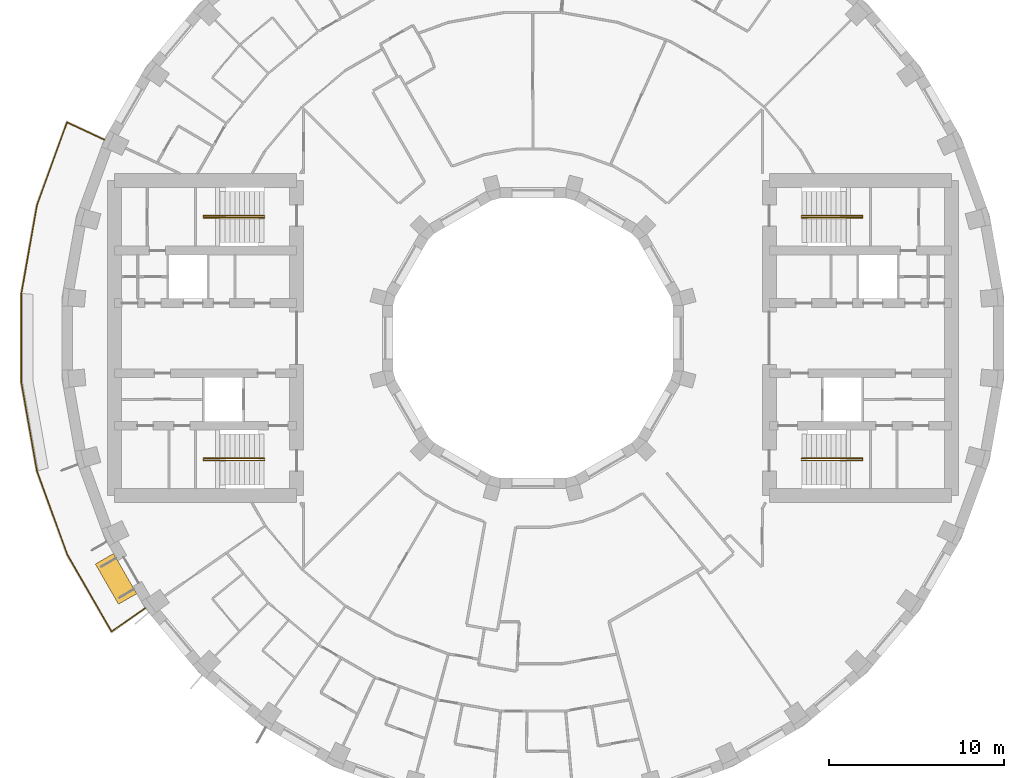
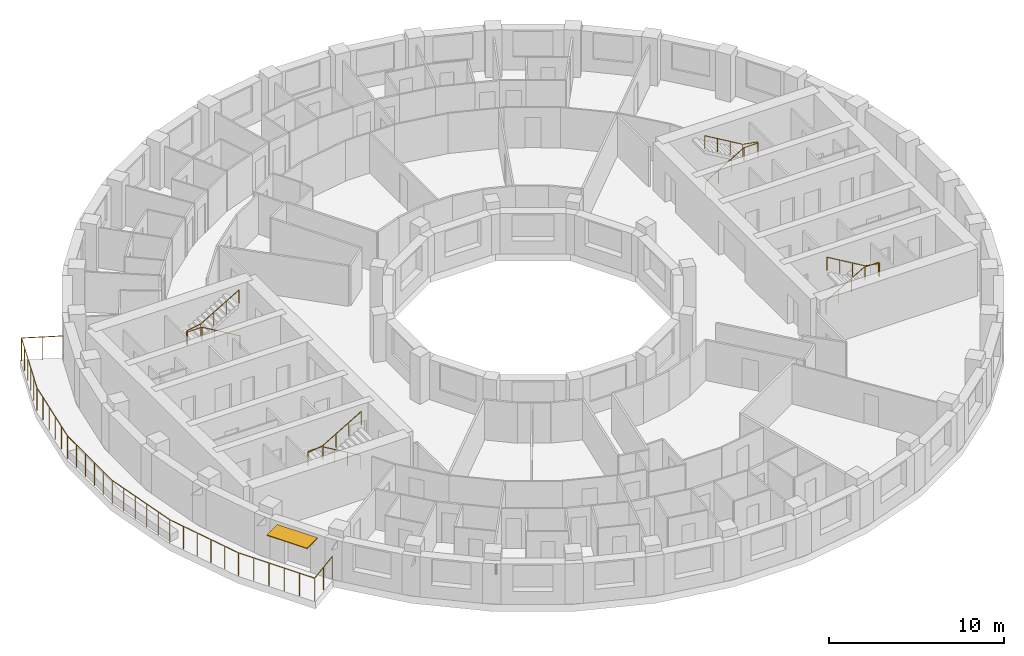
# One storey, part 13 of 13: 5 railings, 1 shading device.
"""IFC4 building model written with IfcOpenShell, lengths in metres."""

from ifc_helpers import new_model, si_unit, direction, frame, origin, origin_2d, place, context, subcontext, project, spatial, rectangle, circle, extrude, material, layer, layer_set, type_object, element, save


model = new_model("IFC4")

# Units and contexts
model_context = context("Model", 3, precision=1e-05, world=origin(), true_north=direction((0.0, 1.0)))
body_context = subcontext(model_context, "Body", "Model", "MODEL_VIEW")
ifc_project = project(units=[si_unit("LENGTHUNIT", "METRE"), si_unit("AREAUNIT", "SQUARE_METRE"), si_unit("VOLUMEUNIT", "CUBIC_METRE"), si_unit("PLANEANGLEUNIT", "RADIAN"), si_unit("MASSUNIT", "GRAM", prefix="KILO")], contexts=[model_context])

# Site, building, storey
site_placement = place(None, origin())
site = spatial("IfcSite", under=ifc_project, at=site_placement, CompositionType="ELEMENT")
building_placement = place(site_placement, origin())
building = spatial("IfcBuilding", under=site, at=building_placement, Name="Saqina Gate Tower", CompositionType="ELEMENT")
storey_placement = place(building_placement, frame((0.0, 0.0, 118.300048828125)))
storey = spatial("IfcBuildingStorey", under=building, at=storey_placement, Name="L33", CompositionType="ELEMENT", Elevation=118.300048828125)

# Shading device
ifc_material_1 = material(Name="Aluminium and fabric awning", Category="aluminium")
ifc_layer = layer(ifc_material_1, 0.050048828125)
ifc_layer_set = layer_set([ifc_layer], Name="AW-TERRACE")
shading_device_type = type_object("IfcShadingDeviceType", Name="AW-TERRACE", PredefinedType="AWNING", material=ifc_layer_set)
shading_device_placement = place(storey_placement, frame((-23.813232421875, -13.74853515625, 2.52490234375), z_axis=(0.0, 0.0, 1.0), x_axis=(0.5, -0.866025403784, 0.0)))
element("IfcShadingDevice", 1, at=shading_device_placement, inside=storey, type_object=shading_device_type, Name="Terrace awning L33 facet 21", PredefinedType="AWNING", context=body_context, shape_type="SweptSolid", body=[
    extrude(rectangle(XDim=2.647705078125, YDim=1.199951171875, at=origin_2d()), origin(), (0.0, 0.0, 1.0), 0.050048828125),
])

# Railings
ifc_material_2 = material(Name="Stainless steel", Category="steel")
railing_type_1 = type_object("IfcRailingType", Name="RL-TERRACE", PredefinedType="GUARDRAIL", material=ifc_material_2)
railing_1_placement = place(storey_placement, frame((-24.44970703125, 11.312744140625, 0.0)))
element("IfcRailing", 2, at=railing_1_placement, inside=storey, type_object=railing_type_1, Name="Terrace guard L33", PredefinedType="GUARDRAIL", context=body_context, shape_type="SweptSolid", body=[
    extrude(circle(Radius=0.02392578125, at=origin_2d()), frame((0.0, 0.0, 1.576171875), z_axis=(-0.906277108403, 0.422684046048, 0.0), x_axis=(-0.422684046048, -0.906277108403, 0.0)), (0.0, 0.0, 1.0), 2.388916015625),
    extrude(circle(Radius=0.02392578125, at=origin_2d()), frame((-2.1650390625, 1.009765625, 1.576171875), z_axis=(-0.340730186221, -0.940161124594, 0.0), x_axis=(0.940161124594, -0.340730186221, 0.0)), (0.0, 0.0, 1.0), 5.032958984375),
    extrude(circle(Radius=0.02392578125, at=origin_2d()), frame((-3.8798828125, -3.721923828125, 1.576171875), z_axis=(-0.173638220049, -0.984809508757, 0.0), x_axis=(0.984809508757, -0.173638220049, 0.0)), (0.0, 0.0, 1.0), 5.1123046875),
    extrude(circle(Radius=0.02392578125, at=origin_2d()), frame((-4.767578125, -8.756591796875, 1.576171875), z_axis=(0.0, -1.0, 0.0), x_axis=(1.0, 0.0, 0.0)), (0.0, 0.0, 1.0), 5.1123046875),
    extrude(circle(Radius=0.02392578125, at=origin_2d()), frame((-4.767578125, -13.868896484375, 1.576171875), z_axis=(0.173638220049, -0.984809508757, 0.0), x_axis=(0.984809508757, 0.173638220049, 0.0)), (0.0, 0.0, 1.0), 5.1123046875),
    extrude(circle(Radius=0.02392578125, at=origin_2d()), frame((-3.8798828125, -18.903564453125, 1.576171875), z_axis=(0.342011445423, -0.939695786518, 0.0), x_axis=(0.939695786518, 0.342011445423, 0.0)), (0.0, 0.0, 1.0), 5.112548828125),
    extrude(circle(Radius=0.02392578125, at=origin_2d()), frame((-2.13134765625, -23.707763671875, 1.576171875), z_axis=(0.498801033986, -0.866716521415, 0.0), x_axis=(0.866716521415, 0.498801033986, 0.0)), (0.0, 0.0, 1.0), 5.032470703125),
    extrude(circle(Radius=0.02392578125, at=origin_2d()), frame((0.37890625, -28.069580078125, 1.576171875), z_axis=(0.819193509898, 0.573517212768, 0.0), x_axis=(-0.573517212768, 0.819193509898, 0.0)), (0.0, 0.0, 1.0), 2.388916015625),
    extrude(circle(Radius=0.02099609375, at=origin_2d()), origin(), (0.0, 0.0, 1.0), 1.552001953125),
    extrude(circle(Radius=0.02099609375, at=origin_2d()), frame((-1.08251953125, 0.5048828125, 0.0)), (0.0, 0.0, 1.0), 1.552001953125),
    extrude(circle(Radius=0.02099609375, at=origin_2d()), frame((-2.1650390625, 1.009765625, 0.0)), (0.0, 0.0, 1.0), 1.552001953125),
    extrude(circle(Radius=0.02099609375, at=origin_2d()), frame((-2.508056640625, 0.0634765625, 0.0)), (0.0, 0.0, 1.0), 1.552001953125),
    extrude(circle(Radius=0.02099609375, at=origin_2d()), frame((-2.85107421875, -0.8828125, 0.0)), (0.0, 0.0, 1.0), 1.552001953125),
    extrude(circle(Radius=0.02099609375, at=origin_2d()), frame((-3.19384765625, -1.829345703125, 0.0)), (0.0, 0.0, 1.0), 1.552001953125),
    extrude(circle(Radius=0.02099609375, at=origin_2d()), frame((-3.536865234375, -2.775634765625, 0.0)), (0.0, 0.0, 1.0), 1.552001953125),
    extrude(circle(Radius=0.02099609375, at=origin_2d()), frame((-3.8798828125, -3.721923828125, 0.0)), (0.0, 0.0, 1.0), 1.552001953125),
    extrude(circle(Radius=0.02099609375, at=origin_2d()), frame((-4.057373046875, -4.728759765625, 0.0)), (0.0, 0.0, 1.0), 1.552001953125),
    extrude(circle(Radius=0.02099609375, at=origin_2d()), frame((-4.23486328125, -5.73583984375, 0.0)), (0.0, 0.0, 1.0), 1.552001953125),
    extrude(circle(Radius=0.02099609375, at=origin_2d()), frame((-4.41259765625, -6.74267578125, 0.0)), (0.0, 0.0, 1.0), 1.552001953125),
    extrude(circle(Radius=0.02099609375, at=origin_2d()), frame((-4.590087890625, -7.749755859375, 0.0)), (0.0, 0.0, 1.0), 1.552001953125),
    extrude(circle(Radius=0.02099609375, at=origin_2d()), frame((-4.767578125, -8.756591796875, 0.0)), (0.0, 0.0, 1.0), 1.552001953125),
    extrude(circle(Radius=0.02099609375, at=origin_2d()), frame((-4.767578125, -9.779052734375, 0.0)), (0.0, 0.0, 1.0), 1.552001953125),
    extrude(circle(Radius=0.02099609375, at=origin_2d()), frame((-4.767578125, -10.801513671875, 0.0)), (0.0, 0.0, 1.0), 1.552001953125),
    extrude(circle(Radius=0.02099609375, at=origin_2d()), frame((-4.767578125, -11.823974609375, 0.0)), (0.0, 0.0, 1.0), 1.552001953125),
    extrude(circle(Radius=0.02099609375, at=origin_2d()), frame((-4.767578125, -12.846435546875, 0.0)), (0.0, 0.0, 1.0), 1.552001953125),
    extrude(circle(Radius=0.02099609375, at=origin_2d()), frame((-4.767578125, -13.868896484375, 0.0)), (0.0, 0.0, 1.0), 1.552001953125),
    extrude(circle(Radius=0.02099609375, at=origin_2d()), frame((-4.590087890625, -14.875732421875, 0.0)), (0.0, 0.0, 1.0), 1.552001953125),
    extrude(circle(Radius=0.02099609375, at=origin_2d()), frame((-4.41259765625, -15.8828125, 0.0)), (0.0, 0.0, 1.0), 1.552001953125),
    extrude(circle(Radius=0.02099609375, at=origin_2d()), frame((-4.23486328125, -16.8896484375, 0.0)), (0.0, 0.0, 1.0), 1.552001953125),
    extrude(circle(Radius=0.02099609375, at=origin_2d()), frame((-4.057373046875, -17.896728515625, 0.0)), (0.0, 0.0, 1.0), 1.552001953125),
    extrude(circle(Radius=0.02099609375, at=origin_2d()), frame((-3.8798828125, -18.903564453125, 0.0)), (0.0, 0.0, 1.0), 1.552001953125),
    extrude(circle(Radius=0.02099609375, at=origin_2d()), frame((-3.5302734375, -19.864501953125, 0.0)), (0.0, 0.0, 1.0), 1.552001953125),
    extrude(circle(Radius=0.02099609375, at=origin_2d()), frame((-3.180419921875, -20.8251953125, 0.0)), (0.0, 0.0, 1.0), 1.552001953125),
    extrude(circle(Radius=0.02099609375, at=origin_2d()), frame((-2.830810546875, -21.7861328125, 0.0)), (0.0, 0.0, 1.0), 1.552001953125),
    extrude(circle(Radius=0.02099609375, at=origin_2d()), frame((-2.48095703125, -22.746826171875, 0.0)), (0.0, 0.0, 1.0), 1.552001953125),
    extrude(circle(Radius=0.02099609375, at=origin_2d()), frame((-2.13134765625, -23.707763671875, 0.0)), (0.0, 0.0, 1.0), 1.552001953125),
    extrude(circle(Radius=0.02099609375, at=origin_2d()), frame((-1.62939453125, -24.580078125, 0.0)), (0.0, 0.0, 1.0), 1.552001953125),
    extrude(circle(Radius=0.02099609375, at=origin_2d()), frame((-1.127197265625, -25.452392578125, 0.0)), (0.0, 0.0, 1.0), 1.552001953125),
    extrude(circle(Radius=0.02099609375, at=origin_2d()), frame((-0.625244140625, -26.324951171875, 0.0)), (0.0, 0.0, 1.0), 1.552001953125),
    extrude(circle(Radius=0.02099609375, at=origin_2d()), frame((-0.123046875, -27.197265625, 0.0)), (0.0, 0.0, 1.0), 1.552001953125),
    extrude(circle(Radius=0.02099609375, at=origin_2d()), frame((0.37890625, -28.069580078125, 0.0)), (0.0, 0.0, 1.0), 1.552001953125),
    extrude(circle(Radius=0.02099609375, at=origin_2d()), frame((1.357421875, -27.384521484375, 0.0)), (0.0, 0.0, 1.0), 1.552001953125),
    extrude(circle(Radius=0.02099609375, at=origin_2d()), frame((2.3359375, -26.699462890625, 0.0)), (0.0, 0.0, 1.0), 1.552001953125),
])
ifc_material_3 = material(Name="Stainless steel", Category="steel")
railing_type_2 = type_object("IfcRailingType", Name="STAIR HANDRAIL", PredefinedType="HANDRAIL", material=ifc_material_3)
railing_2_placement = place(storey_placement, frame((15.35009765625, 6.86669921875, 0.1650390625)))
element("IfcRailing", 3, at=railing_2_placement, inside=storey, type_object=railing_type_2, Name="EXIT STAIR 1 HANDRAIL", PredefinedType="HANDRAIL", context=body_context, shape_type="SweptSolid", body=[
    extrude(circle(Radius=0.02392578125, at=origin_2d()), frame((0.0, 0.0, 0.92578125), z_axis=(0.861560626758, 0.0, 0.507654692109), x_axis=(0.0, 1.0, 0.0)), (0.0, 0.0, 1.0), 2.925048828125),
    extrude(circle(Radius=0.02392578125, at=origin_2d()), frame((2.52001953125, 0.0, 2.41064453125), z_axis=(1.0, 0.0, 0.0), x_axis=(0.0, 1.0, 0.0)), (0.0, 0.0, 1.0), 0.949951171875),
    extrude(circle(Radius=0.02392578125, at=origin_2d()), frame((3.469970703125, 0.0, 2.41064453125), z_axis=(0.0, 1.0, 0.0), x_axis=(-1.0, 0.0, 0.0)), (0.0, 0.0, 1.0), 0.11669921875),
    extrude(circle(Radius=0.02392578125, at=origin_2d()), frame((3.469970703125, 0.11669921875, 2.41064453125), z_axis=(-0.985241474778, 0.0, 0.171170197109), x_axis=(0.0, -1.0, 0.0)), (0.0, 0.0, 1.0), 0.964111328125),
    extrude(circle(Radius=0.02392578125, at=origin_2d()), frame((2.52001953125, 0.11669921875, 2.57568359375), z_axis=(-0.86152411907, 0.0, 0.507716645641), x_axis=(0.0, -1.0, 0.0)), (0.0, 0.0, 1.0), 2.925048828125),
    extrude(circle(Radius=0.02099609375, at=origin_2d()), origin(), (0.0, 0.0, 1.0), 0.90185546875),
    extrude(circle(Radius=0.02099609375, at=origin_2d()), frame((0.840087890625, 0.0, 0.494873046875)), (0.0, 0.0, 1.0), 0.90185546875),
    extrude(circle(Radius=0.02099609375, at=origin_2d()), frame((1.679931640625, 0.0, 0.989990234375)), (0.0, 0.0, 1.0), 0.90185546875),
    extrude(circle(Radius=0.02099609375, at=origin_2d()), frame((2.52001953125, 0.0, 1.48486328125)), (0.0, 0.0, 1.0), 0.90185546875),
    extrude(circle(Radius=0.02099609375, at=origin_2d()), frame((3.469970703125, 0.0, 1.48486328125)), (0.0, 0.0, 1.0), 0.90185546875),
    extrude(circle(Radius=0.02099609375, at=origin_2d()), frame((3.469970703125, 0.11669921875, 1.48486328125)), (0.0, 0.0, 1.0), 0.90185546875),
    extrude(circle(Radius=0.02099609375, at=origin_2d()), frame((2.52001953125, 0.11669921875, 1.64990234375)), (0.0, 0.0, 1.0), 0.90185546875),
    extrude(circle(Radius=0.02099609375, at=origin_2d()), frame((1.679931640625, 0.11669921875, 2.14501953125)), (0.0, 0.0, 1.0), 0.90185546875),
    extrude(circle(Radius=0.02099609375, at=origin_2d()), frame((0.840087890625, 0.11669921875, 2.639892578125)), (0.0, 0.0, 1.0), 0.90185546875),
    extrude(circle(Radius=0.02099609375, at=origin_2d()), frame((0.0, 0.11669921875, 3.135009765625)), (0.0, 0.0, 1.0), 0.90185546875),
])
railing_3_placement = place(storey_placement, frame((15.35009765625, -6.86669921875, 0.1650390625)))
element("IfcRailing", 4, at=railing_3_placement, inside=storey, type_object=railing_type_2, Name="EXIT STAIR 2 HANDRAIL", PredefinedType="HANDRAIL", context=body_context, shape_type="SweptSolid", body=[
    extrude(circle(Radius=0.02392578125, at=origin_2d()), frame((0.0, 0.0, 0.92578125), z_axis=(0.861560626758, 0.0, 0.507654692109), x_axis=(0.0, 1.0, 0.0)), (0.0, 0.0, 1.0), 2.925048828125),
    extrude(circle(Radius=0.02392578125, at=origin_2d()), frame((2.52001953125, 0.0, 2.41064453125), z_axis=(1.0, 0.0, 0.0), x_axis=(0.0, 1.0, 0.0)), (0.0, 0.0, 1.0), 0.949951171875),
    extrude(circle(Radius=0.02392578125, at=origin_2d()), frame((3.469970703125, 0.0, 2.41064453125), z_axis=(0.0, -1.0, 0.0), x_axis=(1.0, 0.0, 0.0)), (0.0, 0.0, 1.0), 0.11669921875),
    extrude(circle(Radius=0.02392578125, at=origin_2d()), frame((3.469970703125, -0.11669921875, 2.41064453125), z_axis=(-0.985241474778, 0.0, 0.171170197109), x_axis=(0.0, -1.0, 0.0)), (0.0, 0.0, 1.0), 0.964111328125),
    extrude(circle(Radius=0.02392578125, at=origin_2d()), frame((2.52001953125, -0.11669921875, 2.57568359375), z_axis=(-0.86152411907, 0.0, 0.507716645641), x_axis=(0.0, -1.0, 0.0)), (0.0, 0.0, 1.0), 2.925048828125),
    extrude(circle(Radius=0.02099609375, at=origin_2d()), origin(), (0.0, 0.0, 1.0), 0.90185546875),
    extrude(circle(Radius=0.02099609375, at=origin_2d()), frame((0.840087890625, 0.0, 0.494873046875)), (0.0, 0.0, 1.0), 0.90185546875),
    extrude(circle(Radius=0.02099609375, at=origin_2d()), frame((1.679931640625, 0.0, 0.989990234375)), (0.0, 0.0, 1.0), 0.90185546875),
    extrude(circle(Radius=0.02099609375, at=origin_2d()), frame((2.52001953125, 0.0, 1.48486328125)), (0.0, 0.0, 1.0), 0.90185546875),
    extrude(circle(Radius=0.02099609375, at=origin_2d()), frame((3.469970703125, 0.0, 1.48486328125)), (0.0, 0.0, 1.0), 0.90185546875),
    extrude(circle(Radius=0.02099609375, at=origin_2d()), frame((3.469970703125, -0.11669921875, 1.48486328125)), (0.0, 0.0, 1.0), 0.90185546875),
    extrude(circle(Radius=0.02099609375, at=origin_2d()), frame((2.52001953125, -0.11669921875, 1.64990234375)), (0.0, 0.0, 1.0), 0.90185546875),
    extrude(circle(Radius=0.02099609375, at=origin_2d()), frame((1.679931640625, -0.11669921875, 2.14501953125)), (0.0, 0.0, 1.0), 0.90185546875),
    extrude(circle(Radius=0.02099609375, at=origin_2d()), frame((0.840087890625, -0.11669921875, 2.639892578125)), (0.0, 0.0, 1.0), 0.90185546875),
    extrude(circle(Radius=0.02099609375, at=origin_2d()), frame((0.0, -0.11669921875, 3.135009765625)), (0.0, 0.0, 1.0), 0.90185546875),
])
railing_4_placement = place(storey_placement, frame((-15.35009765625, 6.86669921875, 0.1650390625)))
element("IfcRailing", 5, at=railing_4_placement, inside=storey, type_object=railing_type_2, Name="EXIT STAIR 3 HANDRAIL", PredefinedType="HANDRAIL", context=body_context, shape_type="SweptSolid", body=[
    extrude(circle(Radius=0.02392578125, at=origin_2d()), frame((0.0, 0.0, 0.92578125), z_axis=(-0.861560626758, 0.0, 0.507654692109), x_axis=(0.0, -1.0, 0.0)), (0.0, 0.0, 1.0), 2.925048828125),
    extrude(circle(Radius=0.02392578125, at=origin_2d()), frame((-2.52001953125, 0.0, 2.41064453125), z_axis=(-1.0, 0.0, 0.0), x_axis=(0.0, -1.0, 0.0)), (0.0, 0.0, 1.0), 0.949951171875),
    extrude(circle(Radius=0.02392578125, at=origin_2d()), frame((-3.469970703125, 0.0, 2.41064453125), z_axis=(0.0, 1.0, 0.0), x_axis=(-1.0, 0.0, 0.0)), (0.0, 0.0, 1.0), 0.11669921875),
    extrude(circle(Radius=0.02392578125, at=origin_2d()), frame((-3.469970703125, 0.11669921875, 2.41064453125), z_axis=(0.985241474778, 0.0, 0.171170197109), x_axis=(0.0, 1.0, 0.0)), (0.0, 0.0, 1.0), 0.964111328125),
    extrude(circle(Radius=0.02392578125, at=origin_2d()), frame((-2.52001953125, 0.11669921875, 2.57568359375), z_axis=(0.86152411907, 0.0, 0.507716645641), x_axis=(0.0, 1.0, 0.0)), (0.0, 0.0, 1.0), 2.925048828125),
    extrude(circle(Radius=0.02099609375, at=origin_2d()), origin(), (0.0, 0.0, 1.0), 0.90185546875),
    extrude(circle(Radius=0.02099609375, at=origin_2d()), frame((-0.840087890625, 0.0, 0.494873046875)), (0.0, 0.0, 1.0), 0.90185546875),
    extrude(circle(Radius=0.02099609375, at=origin_2d()), frame((-1.679931640625, 0.0, 0.989990234375)), (0.0, 0.0, 1.0), 0.90185546875),
    extrude(circle(Radius=0.02099609375, at=origin_2d()), frame((-2.52001953125, 0.0, 1.48486328125)), (0.0, 0.0, 1.0), 0.90185546875),
    extrude(circle(Radius=0.02099609375, at=origin_2d()), frame((-3.469970703125, 0.0, 1.48486328125)), (0.0, 0.0, 1.0), 0.90185546875),
    extrude(circle(Radius=0.02099609375, at=origin_2d()), frame((-3.469970703125, 0.11669921875, 1.48486328125)), (0.0, 0.0, 1.0), 0.90185546875),
    extrude(circle(Radius=0.02099609375, at=origin_2d()), frame((-2.52001953125, 0.11669921875, 1.64990234375)), (0.0, 0.0, 1.0), 0.90185546875),
    extrude(circle(Radius=0.02099609375, at=origin_2d()), frame((-1.679931640625, 0.11669921875, 2.14501953125)), (0.0, 0.0, 1.0), 0.90185546875),
    extrude(circle(Radius=0.02099609375, at=origin_2d()), frame((-0.840087890625, 0.11669921875, 2.639892578125)), (0.0, 0.0, 1.0), 0.90185546875),
    extrude(circle(Radius=0.02099609375, at=origin_2d()), frame((0.0, 0.11669921875, 3.135009765625)), (0.0, 0.0, 1.0), 0.90185546875),
])
railing_5_placement = place(storey_placement, frame((-15.35009765625, -6.86669921875, 0.1650390625)))
element("IfcRailing", 6, at=railing_5_placement, inside=storey, type_object=railing_type_2, Name="EXIT STAIR 4 HANDRAIL", PredefinedType="HANDRAIL", context=body_context, shape_type="SweptSolid", body=[
    extrude(circle(Radius=0.02392578125, at=origin_2d()), frame((0.0, 0.0, 0.92578125), z_axis=(-0.861560626758, 0.0, 0.507654692109), x_axis=(0.0, -1.0, 0.0)), (0.0, 0.0, 1.0), 2.925048828125),
    extrude(circle(Radius=0.02392578125, at=origin_2d()), frame((-2.52001953125, 0.0, 2.41064453125), z_axis=(-1.0, 0.0, 0.0), x_axis=(0.0, -1.0, 0.0)), (0.0, 0.0, 1.0), 0.949951171875),
    extrude(circle(Radius=0.02392578125, at=origin_2d()), frame((-3.469970703125, 0.0, 2.41064453125), z_axis=(0.0, -1.0, 0.0), x_axis=(1.0, 0.0, 0.0)), (0.0, 0.0, 1.0), 0.11669921875),
    extrude(circle(Radius=0.02392578125, at=origin_2d()), frame((-3.469970703125, -0.11669921875, 2.41064453125), z_axis=(0.985241474778, 0.0, 0.171170197109), x_axis=(0.0, 1.0, 0.0)), (0.0, 0.0, 1.0), 0.964111328125),
    extrude(circle(Radius=0.02392578125, at=origin_2d()), frame((-2.52001953125, -0.11669921875, 2.57568359375), z_axis=(0.86152411907, 0.0, 0.507716645641), x_axis=(0.0, 1.0, 0.0)), (0.0, 0.0, 1.0), 2.925048828125),
    extrude(circle(Radius=0.02099609375, at=origin_2d()), origin(), (0.0, 0.0, 1.0), 0.90185546875),
    extrude(circle(Radius=0.02099609375, at=origin_2d()), frame((-0.840087890625, 0.0, 0.494873046875)), (0.0, 0.0, 1.0), 0.90185546875),
    extrude(circle(Radius=0.02099609375, at=origin_2d()), frame((-1.679931640625, 0.0, 0.989990234375)), (0.0, 0.0, 1.0), 0.90185546875),
    extrude(circle(Radius=0.02099609375, at=origin_2d()), frame((-2.52001953125, 0.0, 1.48486328125)), (0.0, 0.0, 1.0), 0.90185546875),
    extrude(circle(Radius=0.02099609375, at=origin_2d()), frame((-3.469970703125, 0.0, 1.48486328125)), (0.0, 0.0, 1.0), 0.90185546875),
    extrude(circle(Radius=0.02099609375, at=origin_2d()), frame((-3.469970703125, -0.11669921875, 1.48486328125)), (0.0, 0.0, 1.0), 0.90185546875),
    extrude(circle(Radius=0.02099609375, at=origin_2d()), frame((-2.52001953125, -0.11669921875, 1.64990234375)), (0.0, 0.0, 1.0), 0.90185546875),
    extrude(circle(Radius=0.02099609375, at=origin_2d()), frame((-1.679931640625, -0.11669921875, 2.14501953125)), (0.0, 0.0, 1.0), 0.90185546875),
    extrude(circle(Radius=0.02099609375, at=origin_2d()), frame((-0.840087890625, -0.11669921875, 2.639892578125)), (0.0, 0.0, 1.0), 0.90185546875),
    extrude(circle(Radius=0.02099609375, at=origin_2d()), frame((0.0, -0.11669921875, 3.135009765625)), (0.0, 0.0, 1.0), 0.90185546875),
])

save(model, "model.ifc")
